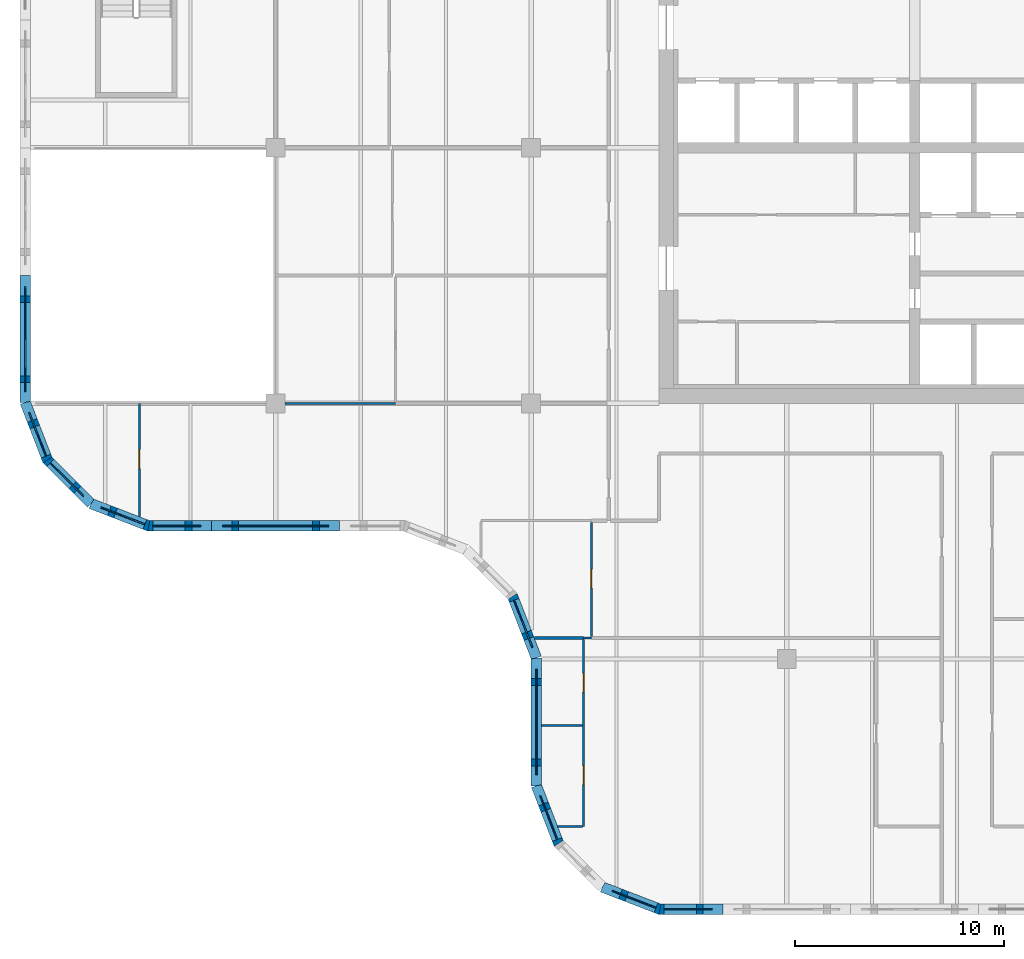
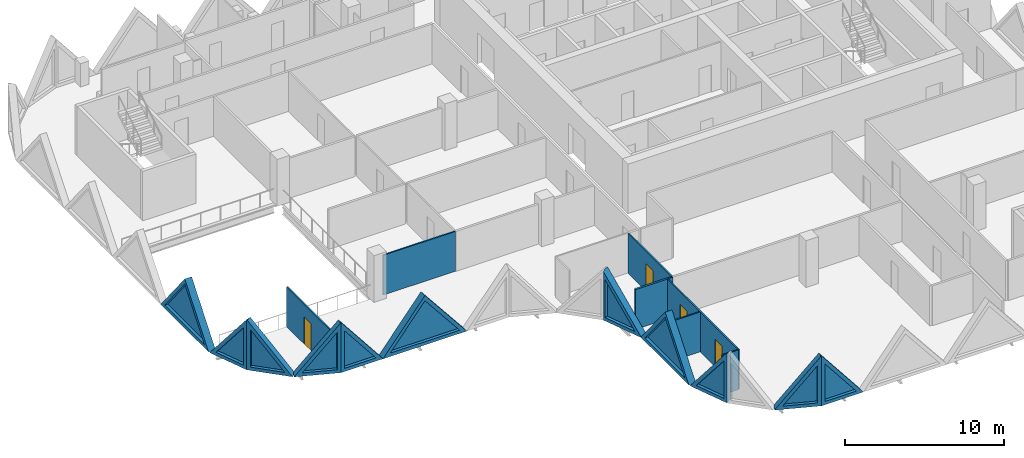
# One storey, part 4 of 17: 19 walls, 11 plates, 4 doors, 15 openings.
"""IFC4 building model written with IfcOpenShell, lengths in metres."""

from ifc_helpers import new_model, si_unit, direction, frame, frame_2d, origin, place, context, subcontext, project, spatial, polyline, rectangle, outline, extrude, faceted_brep, source, transform, mapped, material, layer, layer_set, type_object, element, fill, save


model = new_model("IFC4")

# Units and contexts
model_context = context("Model", 3, precision=1e-05, world=origin(), true_north=direction((0.0, 1.0)))
body_context = subcontext(model_context, "Body", "Model", "MODEL_VIEW")
ifc_project = project(units=[si_unit("LENGTHUNIT", "METRE"), si_unit("AREAUNIT", "SQUARE_METRE"), si_unit("VOLUMEUNIT", "CUBIC_METRE"), si_unit("PLANEANGLEUNIT", "RADIAN"), si_unit("MASSUNIT", "GRAM", prefix="KILO")], contexts=[model_context])

# Site, building, storey
site_placement = place(None, origin())
site = spatial("IfcSite", under=ifc_project, at=site_placement, CompositionType="ELEMENT")
building_placement = place(site_placement, origin())
building = spatial("IfcBuilding", under=site, at=building_placement, Name="Tessera Gate Towers", CompositionType="ELEMENT")
storey_placement = place(building_placement, frame((0.0, 0.0, 112.60009765625)))
storey = spatial("IfcBuildingStorey", under=building, at=storey_placement, Name="L27", CompositionType="ELEMENT", Elevation=112.60009765625)

# Wall
ifc_material_1 = material(Name="Glass", Category="glass")
ifc_layer_1 = layer(ifc_material_1, 0.10009765625)
ifc_layer_set_1 = layer_set([ifc_layer_1], Name="GLAZED PARTITION 100")
wall_type_1 = type_object("IfcWallType", Name="GLAZED PARTITION 100", PredefinedType="PARTITIONING", material=ifc_layer_set_1)
wall_1_placement = place(storey_placement, frame((26.90087890625, 13.199951171875, 0.0), z_axis=(0.0, 0.0, 1.0), x_axis=(1.0, 0.0, 0.0)))
element("IfcWall", 1, at=wall_1_placement, inside=storey, type_object=wall_type_1, Name="T1-L27-PW-013", PredefinedType="PARTITIONING", context=body_context, shape_type="SweptSolid", body=[
    extrude(rectangle(XDim=0.373046875, YDim=0.10009765625, at=frame_2d((0.1865234375, 0.0))), origin(), (0.0, 0.0, 1.0), 3.06689453125),
])

# Wall, opening, door
wall_2_placement = place(storey_placement, frame((27.27490234375, 13.27587890625, 0.0), z_axis=(0.0, 0.0, 1.0), x_axis=(0.0, 1.0, 0.0)))
wall_2 = element("IfcWall", 2, at=wall_2_placement, inside=storey, type_object=wall_type_1, Name="T1-L27-PW-015", PredefinedType="PARTITIONING", context=body_context, shape_type="SweptSolid", body=[
    extrude(rectangle(XDim=5.4482421875, YDim=0.10009765625, at=frame_2d((2.72412109375, 0.0))), origin(), (0.0, 0.0, 1.0), 3.06689453125),
])
shared_shape_1 = source(origin(), body_context, "Body", "SweptSolid", [
    extrude(rectangle(XDim=0.89990234375, YDim=2.10009765625, at=frame_2d((0.449951171875, 1.050048828125))), frame((0.0, 0.06005859375, 0.0), z_axis=(0.0, -1.0, 0.0), x_axis=(1.0, 0.0, 0.0)), (0.0, 0.0, 1.0), 0.1201171875),
])
opening_1_placement = place(wall_2_placement, frame((2.300048828125, 0.0, 0.0)))
opening_1 = element("IfcOpeningElement", 3, at=opening_1_placement, cuts=wall_2, Name="Opening D690-A10-02", PredefinedType="OPENING", context=body_context, shape_type="MappedRepresentation", body=[
    mapped(shared_shape_1, transform((0.0, 0.0, 0.0), scale=1.0)),
])
ifc_material_2 = material(Name="Glass in aluminium frame", Category="aluminium")
door_type_1 = type_object("IfcDoorType", Name="GLAZED DOOR 900 NOT RATED", OperationType="NOTDEFINED", PredefinedType="DOOR", material=ifc_material_2)
shared_shape_2 = source(origin(), body_context, "Body", "SweptSolid", [
    extrude(rectangle(XDim=0.89990234375, YDim=2.10009765625, at=frame_2d((0.449951171875, 1.050048828125))), frame((0.0, 0.02490234375, 0.0), z_axis=(0.0, -1.0, 0.0), x_axis=(1.0, 0.0, 0.0)), (0.0, 0.0, 1.0), 0.050048828125),
])
door_1_placement = place(opening_1_placement, origin())
door_1 = element("IfcDoor", 4, at=door_1_placement, inside=storey, type_object=door_type_1, Name="T1-L27-PD-009", OperationType="SINGLE_SWING_LEFT", OverallHeight=2.10009765625, OverallWidth=0.89990234375, PredefinedType="DOOR", context=body_context, shape_type="MappedRepresentation", body=[
    mapped(shared_shape_2, transform((0.0, 0.0, 0.0), scale=1.0)),
])
fill(opening_1, door_1)

wall_3_placement = place(storey_placement, frame((5.699951171875, 18.990234375, 0.0), z_axis=(0.0, 0.0, 1.0), x_axis=(0.0, 1.0, 0.0)))
wall_3 = element("IfcWall", 5, at=wall_3_placement, inside=storey, type_object=wall_type_1, Name="T1-L27-PW-024", PredefinedType="PARTITIONING", context=body_context, shape_type="SweptSolid", body=[
    extrude(rectangle(XDim=5.40966796875, YDim=0.10009765625, at=frame_2d((2.704833984375, 0.0))), origin(), (0.0, 0.0, 1.0), 3.06689453125),
])
opening_2_placement = place(wall_3_placement, frame((2.300048828125, 0.0, 0.0)))
opening_2 = element("IfcOpeningElement", 6, at=opening_2_placement, cuts=wall_3, Name="Opening D690-A10-01", PredefinedType="OPENING", context=body_context, shape_type="MappedRepresentation", body=[
    mapped(shared_shape_1, transform((0.0, 0.0, 0.0), scale=1.0)),
])
door_2_placement = place(opening_2_placement, origin())
door_2 = element("IfcDoor", 7, at=door_2_placement, inside=storey, type_object=door_type_1, Name="T1-L27-PD-008", OperationType="SINGLE_SWING_LEFT", OverallHeight=2.10009765625, OverallWidth=0.89990234375, PredefinedType="DOOR", context=body_context, shape_type="MappedRepresentation", body=[
    mapped(shared_shape_2, transform((0.0, 0.0, 0.0), scale=1.0)),
])
fill(opening_2, door_2)

# Walls
wall_4_placement = place(storey_placement, frame((12.65087890625, 24.39990234375, 0.0), z_axis=(0.0, 0.0, 1.0), x_axis=(1.0, 0.0, 0.0)))
element("IfcWall", 8, at=wall_4_placement, inside=storey, type_object=wall_type_1, Name="T1-L27-PW-029", PredefinedType="PARTITIONING", context=body_context, shape_type="SweptSolid", body=[
    extrude(rectangle(XDim=5.273193359375, YDim=0.10009765625, at=frame_2d((2.63671875, 0.0))), origin(), (0.0, 0.0, 1.0), 3.06689453125),
])
ifc_material_3 = material(Name="Gypsum board on steel studs", Category="steel")
ifc_layer_2 = layer(ifc_material_3, 0.10009765625)
ifc_layer_set_2 = layer_set([ifc_layer_2], Name="PARTITION 100")
wall_type_2 = type_object("IfcWallType", Name="PARTITION 100", PredefinedType="PARTITIONING", material=ifc_layer_set_2)
wall_5_placement = place(storey_placement, frame((25.668701171875, 4.199951171875, 0.0), z_axis=(0.0, 0.0, 1.0), x_axis=(1.0, 0.0, 0.0)))
element("IfcWall", 9, at=wall_5_placement, inside=storey, type_object=wall_type_2, Name="T1-L27-PW-003", PredefinedType="PARTITIONING", context=body_context, shape_type="SweptSolid", body=[
    extrude(rectangle(XDim=1.180419921875, YDim=0.10009765625, at=frame_2d((0.59033203125, 0.0))), origin(), (0.0, 0.0, 1.0), 3.06689453125),
])

# Wall, openings, doors
wall_6_placement = place(storey_placement, frame((26.89990234375, 4.199951171875, 0.0), z_axis=(0.0, 0.0, 1.0), x_axis=(0.0, 1.0, 0.0)))
wall_6 = element("IfcWall", 10, at=wall_6_placement, inside=storey, type_object=wall_type_2, Name="T1-L27-PW-004", PredefinedType="PARTITIONING", context=body_context, shape_type="SweptSolid", body=[
    extrude(rectangle(XDim=8.924072265625, YDim=0.10009765625, at=frame_2d((4.4619140625, 0.0))), origin(), (0.0, 0.0, 1.0), 3.06689453125),
])
opening_3_placement = place(wall_6_placement, frame((6.416015625, 0.0, 0.0)))
opening_3 = element("IfcOpeningElement", 11, at=opening_3_placement, cuts=wall_6, Name="Opening D190-A10-01", PredefinedType="OPENING", context=body_context, shape_type="MappedRepresentation", body=[
    mapped(shared_shape_1, transform((0.0, 0.0, 0.0), scale=1.0)),
])
opening_4_placement = place(wall_6_placement, frame((2.0, 0.0, 0.0)))
opening_4 = element("IfcOpeningElement", 12, at=opening_4_placement, cuts=wall_6, Name="Opening D190-A10-05", PredefinedType="OPENING", context=body_context, shape_type="MappedRepresentation", body=[
    mapped(shared_shape_1, transform((0.0, 0.0, 0.0), scale=1.0)),
])
ifc_material_4 = material(Name="Timber door leaf in steel frame", Category="steel")
door_type_2 = type_object("IfcDoorType", Name="INTERNAL DOOR 900 NOT RATED", OperationType="NOTDEFINED", PredefinedType="DOOR", material=ifc_material_4)
door_3_placement = place(opening_3_placement, origin())
door_3 = element("IfcDoor", 13, at=door_3_placement, inside=storey, type_object=door_type_2, Name="T1-L27-PD-002", OperationType="SINGLE_SWING_LEFT", OverallHeight=2.10009765625, OverallWidth=0.89990234375, PredefinedType="DOOR", context=body_context, shape_type="MappedRepresentation", body=[
    mapped(shared_shape_2, transform((0.0, 0.0, 0.0), scale=1.0)),
])
fill(opening_3, door_3)
door_4_placement = place(opening_4_placement, origin())
door_4 = element("IfcDoor", 14, at=door_4_placement, inside=storey, type_object=door_type_2, Name="T1-L27-PD-013", OperationType="SINGLE_SWING_LEFT", OverallHeight=2.10009765625, OverallWidth=0.89990234375, PredefinedType="DOOR", context=body_context, shape_type="MappedRepresentation", body=[
    mapped(shared_shape_2, transform((0.0, 0.0, 0.0), scale=1.0)),
])
fill(opening_4, door_4)

# Walls
wall_7_placement = place(storey_placement, frame((24.89990234375, 9.014892578125, 0.0), z_axis=(0.0, 0.0, 1.0), x_axis=(1.0, 0.0, 0.0)))
element("IfcWall", 15, at=wall_7_placement, inside=storey, type_object=wall_type_2, Name="T1-L27-PW-010", PredefinedType="PARTITIONING", context=body_context, shape_type="SweptSolid", body=[
    extrude(rectangle(XDim=1.94921875, YDim=0.10009765625, at=frame_2d((0.974609375, 0.0))), origin(), (0.0, 0.0, 1.0), 3.06689453125),
])
ifc_material_5 = material(Name="Gypsum board on steel studs, mineral wool", Category="steel")
ifc_layer_3 = layer(ifc_material_5, 0.14990234375)
ifc_layer_set_3 = layer_set([ifc_layer_3], Name="TENANCY WALL 150")
wall_type_3 = type_object("IfcWallType", Name="TENANCY WALL 150", PredefinedType="PARTITIONING", material=ifc_layer_set_3)
wall_8_placement = place(storey_placement, frame((24.55029296875, 13.199951171875, 0.0), z_axis=(0.0, 0.0, 1.0), x_axis=(1.0, 0.0, 0.0)))
element("IfcWall", 16, at=wall_8_placement, inside=storey, type_object=wall_type_3, Name="T1-L27-PW-012", PredefinedType="PARTITIONING", context=body_context, shape_type="SweptSolid", body=[
    extrude(rectangle(XDim=2.349609375, YDim=0.14990234375, at=frame_2d((1.1748046875, 0.0))), origin(), (0.0, 0.0, 1.0), 3.06689453125),
])

# Wall, opening, plate
ifc_material_6 = material(Name="Precast concrete C60/75 white", Category="concrete")
ifc_layer_4 = layer(ifc_material_6, 0.5)
ifc_layer_set_4 = layer_set([ifc_layer_4], Name="TS3 corner tessera")
wall_type_4 = type_object("IfcWallType", Name="TS3 corner tessera", PredefinedType="SOLIDWALL", material=ifc_layer_set_4)
shared_shape_3 = source(origin(), body_context, "Body", "Brep", [
    faceted_brep([(3.050048828125, -0.25, 0.0), (0.046630859375, -0.25, 3.7998046875), (0.0, -0.25, 3.73974609375), (0.0, -0.25, 0.0), (0.09326171875, 0.25, 3.740966796875), (3.050048828125, 0.25, 0.0), (0.09326171875, 0.25, 0.0), (0.046630859375, 0.0, 3.7998046875)], [[[0, 1, 2, 3]], [[4, 5, 6]], [[5, 4, 7, 1, 0]], [[2, 1, 7]], [[6, 5, 0, 3]], [[6, 3, 2, 7, 4]]]),
])
wall_9_placement = place(storey_placement, frame((30.5, 0.25, 0.0), z_axis=(0.0, 0.0, 1.0), x_axis=(1.0, 0.0, 0.0)))
wall_9 = element("IfcWall", 17, at=wall_9_placement, inside=storey, type_object=wall_type_4, Name="Precast corner tessera T1 TS3-0601", PredefinedType="SOLIDWALL", context=body_context, shape_type="MappedRepresentation", body=[
    mapped(shared_shape_3, transform((0.0, 0.0, 0.0), scale=1.0)),
])
shared_shape_4 = source(origin(), body_context, "Body", "SweptSolid", [
    extrude(outline(polyline([(2.533935546875, 0.25), (0.24658203125, 3.143798828125), (0.24658203125, 0.25), (2.533935546875, 0.25)])), frame((0.0, 0.260009765625, 0.0), z_axis=(0.0, -1.0, 0.0), x_axis=(1.0, 0.0, 0.0)), (0.0, 0.0, 1.0), 0.52001953125),
])
opening_5_placement = place(wall_9_placement, origin())
opening_5 = element("IfcOpeningElement", 18, at=opening_5_placement, cuts=wall_9, Name="Opening T1-PL1-0282", PredefinedType="OPENING", context=body_context, shape_type="MappedRepresentation", body=[
    mapped(shared_shape_4, transform((0.0, 0.0, 0.0), scale=1.0)),
])
ifc_material_7 = material(Name="Low-e laminated glass", Category="glass")
ifc_layer_5 = layer(ifc_material_7, 0.06005859375)
ifc_layer_set_5 = layer_set([ifc_layer_5], Name="PL1 triangular pane")
plate_type = type_object("IfcPlateType", Name="PL1 triangular pane", PredefinedType="SHEET", material=ifc_layer_set_5)
shared_shape_5 = source(origin(), body_context, "Body", "SweptSolid", [
    extrude(outline(polyline([(2.533935546875, 0.25), (0.24658203125, 3.143798828125), (0.24658203125, 0.25), (2.533935546875, 0.25)])), frame((0.0, 0.030029296875, 0.0), z_axis=(0.0, -1.0, 0.0), x_axis=(1.0, 0.0, 0.0)), (0.0, 0.0, 1.0), 0.06005859375),
])
plate_1_placement = place(opening_5_placement, origin())
plate_1 = element("IfcPlate", 19, at=plate_1_placement, inside=storey, type_object=plate_type, Name="Glass pane T1 PL1-0282", PredefinedType="SHEET", context=body_context, shape_type="MappedRepresentation", body=[
    mapped(shared_shape_5, transform((0.0, 0.0, 0.0), scale=1.0)),
])
fill(opening_5, plate_1)

wall_10_placement = place(storey_placement, frame((6.099853515625, 18.550048828125, 0.0), z_axis=(0.0, 0.0, 1.0), x_axis=(1.0, 0.0, 0.0)))
wall_10 = element("IfcWall", 20, at=wall_10_placement, inside=storey, type_object=wall_type_4, Name="Precast corner tessera T1 TS3-0618", PredefinedType="SOLIDWALL", context=body_context, shape_type="MappedRepresentation", body=[
    mapped(shared_shape_3, transform((0.0, 0.0, 0.0), scale=1.0)),
])
opening_6_placement = place(wall_10_placement, origin())
opening_6 = element("IfcOpeningElement", 21, at=opening_6_placement, cuts=wall_10, Name="Opening T1-PL1-0320", PredefinedType="OPENING", context=body_context, shape_type="MappedRepresentation", body=[
    mapped(shared_shape_4, transform((0.0, 0.0, 0.0), scale=1.0)),
])
plate_2_placement = place(opening_6_placement, origin())
plate_2 = element("IfcPlate", 22, at=plate_2_placement, inside=storey, type_object=plate_type, Name="Glass pane T1 PL1-0320", PredefinedType="SHEET", context=body_context, shape_type="MappedRepresentation", body=[
    mapped(shared_shape_5, transform((0.0, 0.0, 0.0), scale=1.0)),
])
fill(opening_6, plate_2)

shared_shape_6 = source(origin(), body_context, "Body", "Brep", [
    faceted_brep([(2.9970703125, -0.25, 3.74072265625), (2.950439453125, -0.25, 3.7998046875), (0.0, -0.25, 0.0), (2.9970703125, -0.25, 0.0), (0.052978515625, 0.25, 0.068115234375), (2.904052734375, 0.25, 3.739990234375), (2.904052734375, 0.25, 0.0), (0.052978515625, 0.25, 0.0), (2.950439453125, 0.00048828125, 3.7998046875), (0.0, 0.0, 0.0)], [[[0, 1, 2, 3]], [[4, 5, 6, 7]], [[8, 1, 0]], [[5, 4, 9, 2, 1, 8]], [[7, 6, 3, 2, 9]], [[7, 9, 4]], [[3, 6, 5, 8, 0]]]),
])
wall_11_placement = place(storey_placement, frame((27.793701171875, 1.31201171875, 0.0), z_axis=(0.0, 0.0, 1.0), x_axis=(0.932973525033, -0.359944998003, 0.0)))
wall_11 = element("IfcWall", 23, at=wall_11_placement, inside=storey, type_object=wall_type_4, Name="Precast corner tessera T1 TS3-0602", PredefinedType="SOLIDWALL", context=body_context, shape_type="MappedRepresentation", body=[
    mapped(shared_shape_6, transform((0.0, 0.0, 0.0), scale=1.0)),
])
shared_shape_7 = source(origin(), body_context, "Body", "SweptSolid", [
    extrude(outline(polyline([(2.75048828125, 3.134765625), (0.5107421875, 0.25), (2.75048828125, 0.25), (2.75048828125, 3.134765625)])), frame((0.0, 0.260009765625, 0.0), z_axis=(0.0, -1.0, 0.0), x_axis=(1.0, 0.0, 0.0)), (0.0, 0.0, 1.0), 0.52001953125),
])
opening_7_placement = place(wall_11_placement, origin())
opening_7 = element("IfcOpeningElement", 24, at=opening_7_placement, cuts=wall_11, Name="Opening T1-PL1-0283", PredefinedType="OPENING", context=body_context, shape_type="MappedRepresentation", body=[
    mapped(shared_shape_7, transform((0.0, 0.0, 0.0), scale=1.0)),
])
shared_shape_8 = source(origin(), body_context, "Body", "SweptSolid", [
    extrude(outline(polyline([(2.75048828125, 3.134765625), (0.5107421875, 0.25), (2.75048828125, 0.25), (2.75048828125, 3.134765625)])), frame((0.0, 0.030029296875, 0.0), z_axis=(0.0, -1.0, 0.0), x_axis=(1.0, 0.0, 0.0)), (0.0, 0.0, 1.0), 0.06005859375),
])
plate_3_placement = place(opening_7_placement, origin())
plate_3 = element("IfcPlate", 25, at=plate_3_placement, inside=storey, type_object=plate_type, Name="Glass pane T1 PL1-0283", PredefinedType="SHEET", context=body_context, shape_type="MappedRepresentation", body=[
    mapped(shared_shape_8, transform((0.0, 0.0, 0.0), scale=1.0)),
])
fill(opening_7, plate_3)

ifc_material_8 = material(Name="Precast concrete C60/75 white", Category="concrete")
ifc_layer_6 = layer(ifc_material_8, 0.5)
ifc_layer_set_6 = layer_set([ifc_layer_6], Name="TS2 half tessera")
wall_type_5 = type_object("IfcWallType", Name="TS2 half tessera", PredefinedType="SOLIDWALL", material=ifc_layer_set_6)
shared_shape_9 = source(origin(), body_context, "Body", "SweptSolid", [
    extrude(outline(polyline([(6.10009765625, 0.0), (3.050048828125, 3.7998046875), (0.0, 0.0), (6.10009765625, 0.0)])), frame((0.0, 0.25, 0.0), z_axis=(0.0, -1.0, 0.0), x_axis=(1.0, 0.0, 0.0)), (0.0, 0.0, 1.0), 0.5),
])
wall_12_placement = place(storey_placement, frame((9.14990234375, 18.550048828125, 0.0), z_axis=(0.0, 0.0, 1.0), x_axis=(1.0, 0.0, 0.0)))
wall_12 = element("IfcWall", 26, at=wall_12_placement, inside=storey, type_object=wall_type_5, Name="Precast half tessera T1 TS2-0159", PredefinedType="SOLIDWALL", context=body_context, shape_type="MappedRepresentation", body=[
    mapped(shared_shape_9, transform((0.0, 0.0, 0.0), scale=1.0)),
])
shared_shape_10 = source(origin(), body_context, "Body", "SweptSolid", [
    extrude(outline(polyline([(5.578857421875, 0.25), (3.050048828125, 3.400390625), (0.521240234375, 0.25), (5.578857421875, 0.25)])), frame((0.0, 0.260009765625, 0.0), z_axis=(0.0, -1.0, 0.0), x_axis=(1.0, 0.0, 0.0)), (0.0, 0.0, 1.0), 0.52001953125),
])
opening_8_placement = place(wall_12_placement, origin())
opening_8 = element("IfcOpeningElement", 27, at=opening_8_placement, cuts=wall_12, Name="Opening T1-PL1-0321", PredefinedType="OPENING", context=body_context, shape_type="MappedRepresentation", body=[
    mapped(shared_shape_10, transform((0.0, 0.0, 0.0), scale=1.0)),
])
shared_shape_11 = source(origin(), body_context, "Body", "SweptSolid", [
    extrude(outline(polyline([(5.578857421875, 0.25), (3.050048828125, 3.400390625), (0.521240234375, 0.25), (5.578857421875, 0.25)])), frame((0.0, 0.030029296875, 0.0), z_axis=(0.0, -1.0, 0.0), x_axis=(1.0, 0.0, 0.0)), (0.0, 0.0, 1.0), 0.06005859375),
])
plate_4_placement = place(opening_8_placement, origin())
plate_4 = element("IfcPlate", 28, at=plate_4_placement, inside=storey, type_object=plate_type, Name="Glass pane T1 PL1-0321", PredefinedType="SHEET", context=body_context, shape_type="MappedRepresentation", body=[
    mapped(shared_shape_11, transform((0.0, 0.0, 0.0), scale=1.0)),
])
fill(opening_8, plate_4)

shared_shape_12 = source(origin(), body_context, "Body", "Brep", [
    faceted_brep([(6.053466796875, -0.25, 0.0), (3.050048828125, -0.25, 3.7998046875), (0.0, -0.25, 0.0), (0.0, 0.25, 0.0), (3.050048828125, 0.25, 3.7998046875), (6.0068359375, 0.25, 0.058837890625), (6.0068359375, 0.25, 0.0), (6.053466796875, 0.0, 0.0)], [[[0, 1, 2]], [[3, 4, 5, 6]], [[5, 4, 1, 0, 7]], [[4, 3, 2, 1]], [[3, 6, 7, 0, 2]], [[7, 6, 5]]]),
])
wall_13_placement = place(storey_placement, frame((0.25, 30.5, 0.0), z_axis=(0.0, 0.0, 1.0), x_axis=(0.0, -1.0, 0.0)))
wall_13 = element("IfcWall", 29, at=wall_13_placement, inside=storey, type_object=wall_type_5, Name="Precast half tessera T1 TS2-0158", PredefinedType="SOLIDWALL", context=body_context, shape_type="MappedRepresentation", body=[
    mapped(shared_shape_12, transform((0.0, 0.0, 0.0), scale=1.0)),
])
shared_shape_13 = source(origin(), body_context, "Body", "SweptSolid", [
    extrude(outline(polyline([(5.537109375, 0.25), (3.048583984375, 3.398681640625), (0.521240234375, 0.25), (5.537109375, 0.25)])), frame((0.0, 0.260009765625, 0.0), z_axis=(0.0, -1.0, 0.0), x_axis=(1.0, 0.0, 0.0)), (0.0, 0.0, 1.0), 0.52001953125),
])
opening_9_placement = place(wall_13_placement, origin())
opening_9 = element("IfcOpeningElement", 30, at=opening_9_placement, cuts=wall_13, Name="Opening T1-PL1-0316", PredefinedType="OPENING", context=body_context, shape_type="MappedRepresentation", body=[
    mapped(shared_shape_13, transform((0.0, 0.0, 0.0), scale=1.0)),
])
shared_shape_14 = source(origin(), body_context, "Body", "SweptSolid", [
    extrude(outline(polyline([(5.537109375, 0.25), (3.048583984375, 3.398681640625), (0.521240234375, 0.25), (5.537109375, 0.25)])), frame((0.0, 0.030029296875, 0.0), z_axis=(0.0, -1.0, 0.0), x_axis=(1.0, 0.0, 0.0)), (0.0, 0.0, 1.0), 0.06005859375),
])
plate_5_placement = place(opening_9_placement, origin())
plate_5 = element("IfcPlate", 31, at=plate_5_placement, inside=storey, type_object=plate_type, Name="Glass pane T1 PL1-0316", PredefinedType="SHEET", context=body_context, shape_type="MappedRepresentation", body=[
    mapped(shared_shape_14, transform((0.0, 0.0, 0.0), scale=1.0)),
])
fill(opening_9, plate_5)

shared_shape_15 = source(origin(), body_context, "Body", "Brep", [
    faceted_brep([(3.00341796875, -0.25, 3.7314453125), (2.950439453125, -0.25, 3.7998046875), (0.0, -0.25, 0.0), (3.00341796875, -0.25, 0.0), (0.046630859375, 0.25, 0.06005859375), (2.897705078125, 0.25, 3.731689453125), (2.897705078125, 0.25, 0.0), (0.046630859375, 0.25, 0.0), (2.950439453125, 0.00048828125, 3.7998046875), (0.0, 0.0, 0.0)], [[[0, 1, 2, 3]], [[4, 5, 6, 7]], [[8, 1, 0]], [[5, 4, 9, 2, 1, 8]], [[7, 6, 3, 2, 9]], [[7, 9, 4]], [[3, 6, 5, 8, 0]]]),
])
wall_14_placement = place(storey_placement, frame((0.25, 24.446533203125, 0.0), z_axis=(0.0, 0.0, 1.0), x_axis=(0.35992665181, -0.932980602862, 0.0)))
wall_14 = element("IfcWall", 32, at=wall_14_placement, inside=storey, type_object=wall_type_4, Name="Precast corner tessera T1 TS3-0615", PredefinedType="SOLIDWALL", context=body_context, shape_type="MappedRepresentation", body=[
    mapped(shared_shape_15, transform((0.0, 0.0, 0.0), scale=1.0)),
])
opening_10_placement = place(wall_14_placement, origin())
opening_10 = element("IfcOpeningElement", 33, at=opening_10_placement, cuts=wall_14, Name="Opening T1-PL1-0317", PredefinedType="OPENING", context=body_context, shape_type="MappedRepresentation", body=[
    mapped(shared_shape_7, transform((0.0, 0.0, 0.0), scale=1.0)),
])
plate_6_placement = place(opening_10_placement, origin())
plate_6 = element("IfcPlate", 34, at=plate_6_placement, inside=storey, type_object=plate_type, Name="Glass pane T1 PL1-0317", PredefinedType="SHEET", context=body_context, shape_type="MappedRepresentation", body=[
    mapped(shared_shape_8, transform((0.0, 0.0, 0.0), scale=1.0)),
])
fill(opening_10, plate_6)

shared_shape_16 = source(origin(), body_context, "Body", "Brep", [
    faceted_brep([(2.9970703125, -0.25, 3.74072265625), (2.950439453125, -0.25, 3.7998046875), (0.0, -0.25, 0.0), (2.9970703125, -0.25, 0.0), (0.052978515625, 0.25, 0.068115234375), (2.904052734375, 0.25, 3.739990234375), (2.904052734375, 0.25, 0.0), (0.052978515625, 0.25, 0.0), (2.950439453125, 0.00048828125, 3.7998046875), (0.0, 0.0, 0.0)], [[[0, 1, 2, 3]], [[4, 5, 6, 7]], [[8, 1, 0]], [[5, 4, 9, 2, 1, 8]], [[7, 6, 3, 2, 9]], [[7, 9, 4]], [[3, 6, 5, 8, 0]]]),
])
wall_15_placement = place(storey_placement, frame((3.393798828125, 19.61181640625, 0.0), z_axis=(0.0, 0.0, 1.0), x_axis=(0.932990326376, -0.359901446078, 0.0)))
wall_15 = element("IfcWall", 35, at=wall_15_placement, inside=storey, type_object=wall_type_4, Name="Precast corner tessera T1 TS3-0617", PredefinedType="SOLIDWALL", context=body_context, shape_type="MappedRepresentation", body=[
    mapped(shared_shape_16, transform((0.0, 0.0, 0.0), scale=1.0)),
])
opening_11_placement = place(wall_15_placement, origin())
opening_11 = element("IfcOpeningElement", 36, at=opening_11_placement, cuts=wall_15, Name="Opening T1-PL1-0319", PredefinedType="OPENING", context=body_context, shape_type="MappedRepresentation", body=[
    mapped(shared_shape_7, transform((0.0, 0.0, 0.0), scale=1.0)),
])
plate_7_placement = place(opening_11_placement, origin())
plate_7 = element("IfcPlate", 37, at=plate_7_placement, inside=storey, type_object=plate_type, Name="Glass pane T1 PL1-0319", PredefinedType="SHEET", context=body_context, shape_type="MappedRepresentation", body=[
    mapped(shared_shape_8, transform((0.0, 0.0, 0.0), scale=1.0)),
])
fill(opening_11, plate_7)

shared_shape_17 = source(origin(), body_context, "Body", "Brep", [
    faceted_brep([(2.9970703125, -0.25, 0.0), (0.052978515625, -0.25, 3.7998046875), (0.0, -0.25, 3.731689453125), (0.0, -0.25, 0.0), (0.10595703125, 0.25, 3.7314453125), (2.944091796875, 0.25, 0.068115234375), (2.944091796875, 0.25, 0.0), (0.10595703125, 0.25, 0.0), (0.052978515625, 0.0, 3.7998046875), (2.9970703125, 0.000244140625, 0.0)], [[[0, 1, 2, 3]], [[4, 5, 6, 7]], [[5, 4, 8, 1, 0, 9]], [[2, 1, 8]], [[7, 6, 9, 0, 3]], [[7, 3, 2, 8, 4]], [[9, 6, 5]]]),
])
wall_16_placement = place(storey_placement, frame((1.2744140625, 21.731201171875, 0.0), z_axis=(0.0, 0.0, 1.0), x_axis=(0.707147509625, -0.707066050402, 0.0)))
wall_16 = element("IfcWall", 38, at=wall_16_placement, inside=storey, type_object=wall_type_4, Name="Precast corner tessera T1 TS3-0616", PredefinedType="SOLIDWALL", context=body_context, shape_type="MappedRepresentation", body=[
    mapped(shared_shape_17, transform((0.0, 0.0, 0.0), scale=1.0)),
])
shared_shape_18 = source(origin(), body_context, "Body", "SweptSolid", [
    extrude(outline(polyline([(2.487060546875, 0.25), (0.2529296875, 3.133544921875), (0.2529296875, 0.25), (2.487060546875, 0.25)])), frame((0.0, 0.260009765625, 0.0), z_axis=(0.0, -1.0, 0.0), x_axis=(1.0, 0.0, 0.0)), (0.0, 0.0, 1.0), 0.52001953125),
])
opening_12_placement = place(wall_16_placement, origin())
opening_12 = element("IfcOpeningElement", 39, at=opening_12_placement, cuts=wall_16, Name="Opening T1-PL1-0318", PredefinedType="OPENING", context=body_context, shape_type="MappedRepresentation", body=[
    mapped(shared_shape_18, transform((0.0, 0.0, 0.0), scale=1.0)),
])
shared_shape_19 = source(origin(), body_context, "Body", "SweptSolid", [
    extrude(outline(polyline([(2.487060546875, 0.25), (0.2529296875, 3.133544921875), (0.2529296875, 0.25), (2.487060546875, 0.25)])), frame((0.0, 0.030029296875, 0.0), z_axis=(0.0, -1.0, 0.0), x_axis=(1.0, 0.0, 0.0)), (0.0, 0.0, 1.0), 0.06005859375),
])
plate_8_placement = place(opening_12_placement, origin())
plate_8 = element("IfcPlate", 40, at=plate_8_placement, inside=storey, type_object=plate_type, Name="Glass pane T1 PL1-0318", PredefinedType="SHEET", context=body_context, shape_type="MappedRepresentation", body=[
    mapped(shared_shape_19, transform((0.0, 0.0, 0.0), scale=1.0)),
])
fill(opening_12, plate_8)

shared_shape_20 = source(origin(), body_context, "Body", "Brep", [
    faceted_brep([(3.156005859375, -0.25, 0.05615234375), (0.10595703125, -0.25, 3.73583984375), (0.10595703125, -0.25, 0.0), (3.156005859375, -0.25, 0.0), (0.0, 0.25, 3.736083984375), (0.052978515625, 0.25, 3.7998046875), (3.202392578125, 0.25, 0.0), (0.0, 0.25, 0.0), (0.052978515625, 0.0, 3.7998046875), (3.202392578125, -0.000244140625, 0.0)], [[[0, 1, 2, 3]], [[4, 5, 6, 7]], [[6, 5, 8, 1, 0, 9]], [[5, 4, 8]], [[7, 6, 9, 3, 2]], [[7, 2, 1, 8, 4]], [[3, 9, 0]]]),
])
wall_17_placement = place(storey_placement, frame((23.497314453125, 15.234375, 0.0), z_axis=(0.0, 0.0, 1.0), x_axis=(0.359913782069, -0.932985567668, 0.0)))
wall_17 = element("IfcWall", 41, at=wall_17_placement, inside=storey, type_object=wall_type_4, Name="Precast corner tessera T1 TS3-0622", PredefinedType="SOLIDWALL", context=body_context, shape_type="MappedRepresentation", body=[
    mapped(shared_shape_20, transform((0.0, 0.0, 0.0), scale=1.0)),
])
shared_shape_21 = source(origin(), body_context, "Body", "SweptSolid", [
    extrude(outline(polyline([(2.670654296875, 0.25), (0.2529296875, 3.166748046875), (0.2529296875, 0.25), (2.670654296875, 0.25)])), frame((0.0, 0.260009765625, 0.0), z_axis=(0.0, -1.0, 0.0), x_axis=(1.0, 0.0, 0.0)), (0.0, 0.0, 1.0), 0.52001953125),
])
opening_13_placement = place(wall_17_placement, origin())
opening_13 = element("IfcOpeningElement", 42, at=opening_13_placement, cuts=wall_17, Name="Opening T1-PL1-0325", PredefinedType="OPENING", context=body_context, shape_type="MappedRepresentation", body=[
    mapped(shared_shape_21, transform((0.0, 0.0, 0.0), scale=1.0)),
])
shared_shape_22 = source(origin(), body_context, "Body", "SweptSolid", [
    extrude(outline(polyline([(2.670654296875, 0.25), (0.2529296875, 3.166748046875), (0.2529296875, 0.25), (2.670654296875, 0.25)])), frame((0.0, 0.030029296875, 0.0), z_axis=(0.0, -1.0, 0.0), x_axis=(1.0, 0.0, 0.0)), (0.0, 0.0, 1.0), 0.06005859375),
])
plate_9_placement = place(opening_13_placement, origin())
plate_9 = element("IfcPlate", 43, at=plate_9_placement, inside=storey, type_object=plate_type, Name="Glass pane T1 PL1-0325", PredefinedType="SHEET", context=body_context, shape_type="MappedRepresentation", body=[
    mapped(shared_shape_22, transform((0.0, 0.0, 0.0), scale=1.0)),
])
fill(opening_13, plate_9)

shared_shape_23 = source(origin(), body_context, "Body", "Brep", [
    faceted_brep([(6.10009765625, -0.25, 0.0), (3.096435546875, -0.25, 3.7998046875), (0.046630859375, -0.25, 0.05712890625), (0.046630859375, -0.25, 0.0), (0.0, 0.25, 0.0), (3.096435546875, 0.25, 3.7998046875), (6.053466796875, 0.25, 0.05908203125), (6.053466796875, 0.25, 0.0), (6.10009765625, -0.00048828125, 0.0), (0.0, 0.0, 0.0)], [[[0, 1, 2, 3]], [[4, 5, 6, 7]], [[6, 5, 1, 0, 8]], [[5, 4, 9, 2, 1]], [[4, 7, 8, 0, 3, 9]], [[9, 3, 2]], [[8, 7, 6]]]),
])
wall_18_placement = place(storey_placement, frame((24.64990234375, 12.24658203125, 0.0), z_axis=(0.0, 0.0, 1.0), x_axis=(0.0, -1.0, 0.0)))
wall_18 = element("IfcWall", 44, at=wall_18_placement, inside=storey, type_object=wall_type_5, Name="Precast half tessera T1 TS2-0160", PredefinedType="SOLIDWALL", context=body_context, shape_type="MappedRepresentation", body=[
    mapped(shared_shape_23, transform((0.0, 0.0, 0.0), scale=1.0)),
])
shared_shape_24 = source(origin(), body_context, "Body", "SweptSolid", [
    extrude(outline(polyline([(5.583740234375, 0.25), (3.093505859375, 3.400390625), (0.526123046875, 0.25), (5.583740234375, 0.25)])), frame((0.0, 0.260009765625, 0.0), z_axis=(0.0, -1.0, 0.0), x_axis=(1.0, 0.0, 0.0)), (0.0, 0.0, 1.0), 0.52001953125),
])
opening_14_placement = place(wall_18_placement, origin())
opening_14 = element("IfcOpeningElement", 45, at=opening_14_placement, cuts=wall_18, Name="Opening T1-PL1-0326", PredefinedType="OPENING", context=body_context, shape_type="MappedRepresentation", body=[
    mapped(shared_shape_24, transform((0.0, 0.0, 0.0), scale=1.0)),
])
shared_shape_25 = source(origin(), body_context, "Body", "SweptSolid", [
    extrude(outline(polyline([(5.583740234375, 0.25), (3.093505859375, 3.400390625), (0.526123046875, 0.25), (5.583740234375, 0.25)])), frame((0.0, 0.030029296875, 0.0), z_axis=(0.0, -1.0, 0.0), x_axis=(1.0, 0.0, 0.0)), (0.0, 0.0, 1.0), 0.06005859375),
])
plate_10_placement = place(opening_14_placement, origin())
plate_10 = element("IfcPlate", 46, at=plate_10_placement, inside=storey, type_object=plate_type, Name="Glass pane T1 PL1-0326", PredefinedType="SHEET", context=body_context, shape_type="MappedRepresentation", body=[
    mapped(shared_shape_25, transform((0.0, 0.0, 0.0), scale=1.0)),
])
fill(opening_14, plate_10)

shared_shape_26 = source(origin(), body_context, "Body", "Brep", [
    faceted_brep([(3.00341796875, -0.25, 3.7314453125), (2.950439453125, -0.25, 3.7998046875), (0.0, -0.25, 0.0), (3.00341796875, -0.25, 0.0), (0.046630859375, 0.25, 0.06005859375), (2.897705078125, 0.25, 3.731689453125), (2.897705078125, 0.25, 0.0), (0.046630859375, 0.25, 0.0), (2.950439453125, 0.00048828125, 3.7998046875), (0.0, 0.0, 0.0)], [[[0, 1, 2, 3]], [[4, 5, 6, 7]], [[8, 1, 0]], [[5, 4, 9, 2, 1, 8]], [[7, 6, 3, 2, 9]], [[7, 9, 4]], [[3, 6, 5, 8, 0]]]),
])
wall_19_placement = place(storey_placement, frame((24.64990234375, 6.146484375, 0.0), z_axis=(0.0, 0.0, 1.0), x_axis=(0.359953949349, -0.932970071518, 0.0)))
wall_19 = element("IfcWall", 47, at=wall_19_placement, inside=storey, type_object=wall_type_4, Name="Precast corner tessera T1 TS3-0623", PredefinedType="SOLIDWALL", context=body_context, shape_type="MappedRepresentation", body=[
    mapped(shared_shape_26, transform((0.0, 0.0, 0.0), scale=1.0)),
])
opening_15_placement = place(wall_19_placement, origin())
opening_15 = element("IfcOpeningElement", 48, at=opening_15_placement, cuts=wall_19, Name="Opening T1-PL1-0327", PredefinedType="OPENING", context=body_context, shape_type="MappedRepresentation", body=[
    mapped(shared_shape_7, transform((0.0, 0.0, 0.0), scale=1.0)),
])
plate_11_placement = place(opening_15_placement, origin())
plate_11 = element("IfcPlate", 49, at=plate_11_placement, inside=storey, type_object=plate_type, Name="Glass pane T1 PL1-0327", PredefinedType="SHEET", context=body_context, shape_type="MappedRepresentation", body=[
    mapped(shared_shape_8, transform((0.0, 0.0, 0.0), scale=1.0)),
])
fill(opening_15, plate_11)

save(model, "model.ifc")
